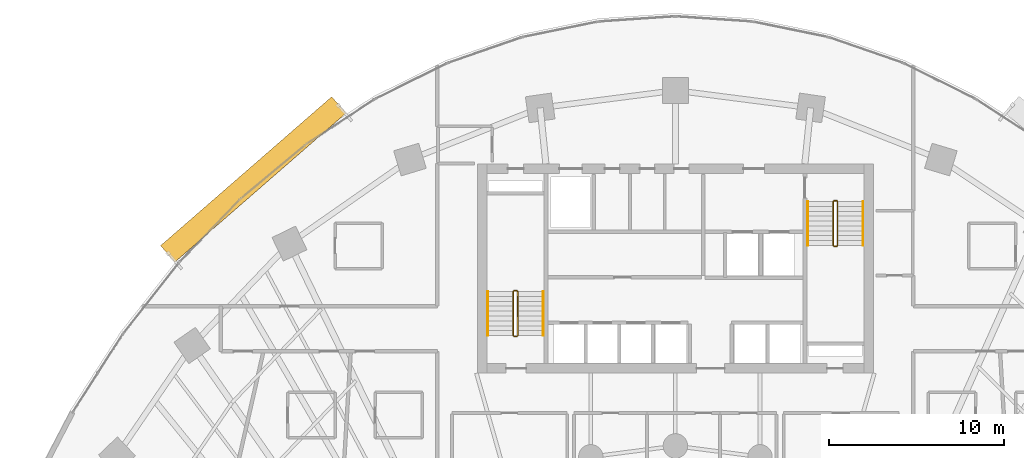
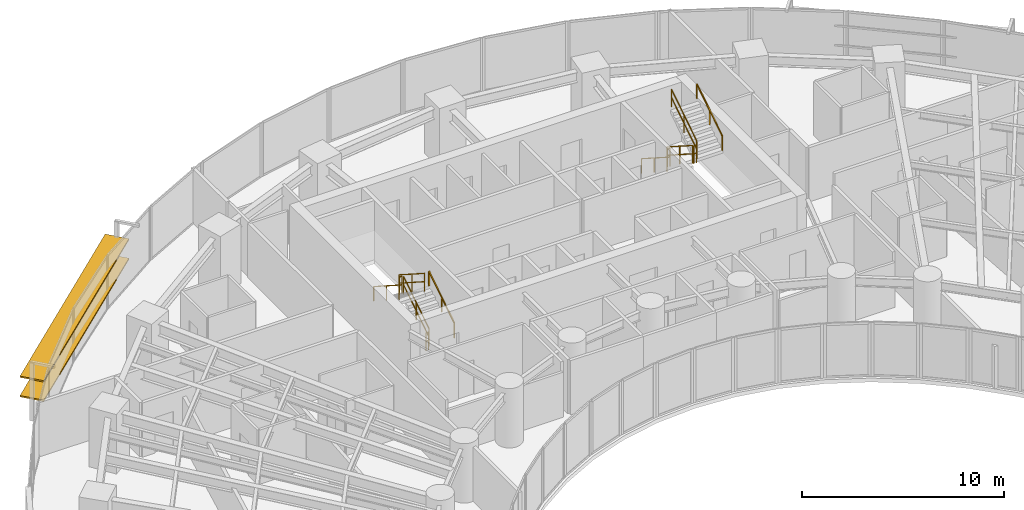
# One storey, part 16 of 17: 12 railings, 2 shading devices.
"""IFC4 building model written with IfcOpenShell, lengths in metres."""

import ifcopenshell
import ifcopenshell.guid

model = None  # the IFC model being written
_history = None  # IfcOwnerHistory: only IFC2X3 demands one
_inside = {}  # id of a spatial element -> (the spatial element, [elements in it])
_under = {}  # id of a project, library or spatial element -> (it, [spatial elements below it])
_declared = {}  # id of a project -> (the project, [libraries it declares])
_typed = {}  # id of a type object -> (the type object, [elements of that type])
_made_of = {}  # id of a material, layer set ... -> (it, [elements and type objects made of it])


def new_model(schema):
    """Start an empty IFC model of exactly this schema.

    Asked for "IFC4X3", IfcOpenShell would pick the latest addendum, in which some entities
    have other attributes; the version numbers below select the first issue.
    IFC2X3 requires an IfcOwnerHistory on every rooted entity: one is made here for all.
    """
    global model, _history
    if schema == "IFC4X3":
        model = ifcopenshell.file(schema_version=(4, 3, 0, 0))
    else:
        model = ifcopenshell.file(schema=schema)
    _inside.clear()
    _under.clear()
    _declared.clear()
    _typed.clear()
    _made_of.clear()
    _history = None
    if model.schema == "IFC2X3":
        org = make("IfcOrganization", Name="unknown")
        user = make(
            "IfcPersonAndOrganization",
            ThePerson=make("IfcPerson", FamilyName="unknown"),
            TheOrganization=org,
        )
        app = make(
            "IfcApplication",
            ApplicationDeveloper=org,
            Version="unknown",
            ApplicationFullName="unknown",
            ApplicationIdentifier="unknown",
        )
        _history = make(
            "IfcOwnerHistory",
            OwningUser=user,
            OwningApplication=app,
            ChangeAction="ADDED",
            CreationDate=0,
        )
    return model


def make(cls, **values):
    """One entity of the class cls with the attributes given. An attribute that is None is left unset."""
    return model.create_entity(
        cls, **{name: value for name, value in values.items() if value is not None}
    )


def rooted(cls, **values):
    """An entity with a GlobalId (a new one), such as an element, a storey or a relation."""
    return make(cls, GlobalId=ifcopenshell.guid.new(), OwnerHistory=_history, **values)


def si_unit(unit_type, name, prefix=None):
    """IfcSIUnit, for example si_unit("LENGTHUNIT", "METRE", prefix="MILLI")."""
    return make("IfcSIUnit", UnitType=unit_type, Prefix=prefix, Name=name)


def assignment(units):
    """IfcUnitAssignment: the units of a project."""
    return None if units is None else make("IfcUnitAssignment", Units=units)


def point(xyz):
    """IfcCartesianPoint."""
    return None if xyz is None else make("IfcCartesianPoint", Coordinates=xyz)


def direction(xyz):
    """IfcDirection."""
    return None if xyz is None else make("IfcDirection", DirectionRatios=xyz)


def frame(location, z_axis=None, x_axis=None):
    """IfcAxis2Placement3D, a coordinate frame: its origin and axes. An axis left out is left unset."""
    return make(
        "IfcAxis2Placement3D",
        Location=point(location),
        Axis=direction(z_axis),
        RefDirection=direction(x_axis),
    )


def frame_2d(location, x_axis=None):
    """IfcAxis2Placement2D, a coordinate frame in the plane: its origin and x axis."""
    return make(
        "IfcAxis2Placement2D", Location=point(location), RefDirection=direction(x_axis)
    )


def origin():
    """The frame at (0, 0, 0) with its axes left unset."""
    return frame((0.0, 0.0, 0.0))


def origin_2d():
    """The frame at (0, 0) in the plane with its x axis left unset."""
    return frame_2d((0.0, 0.0))


def place(relative_to, where):
    """IfcLocalPlacement: puts the frame where relative to a parent placement (None: the world)."""
    return make(
        "IfcLocalPlacement", PlacementRelTo=relative_to, RelativePlacement=where
    )


def context(
    kind, dimensions, precision=None, world=None, true_north=None, identifier=None
):
    """IfcGeometricRepresentationContext, for example the 3D "Model" context."""
    return make(
        "IfcGeometricRepresentationContext",
        ContextIdentifier=identifier,
        ContextType=kind,
        CoordinateSpaceDimension=dimensions,
        Precision=precision,
        WorldCoordinateSystem=world,
        TrueNorth=true_north,
    )


def subcontext(parent, identifier, kind, view, scale=None):
    """IfcGeometricRepresentationSubContext, for example "Body" below "Model"."""
    return make(
        "IfcGeometricRepresentationSubContext",
        ContextIdentifier=identifier,
        ContextType=kind,
        ParentContext=parent,
        TargetScale=scale,
        TargetView=view,
    )


def project(units=None, contexts=None):
    """IfcProject with its units and contexts."""
    return rooted(
        "IfcProject",
        Name="project",
        RepresentationContexts=contexts,
        UnitsInContext=assignment(units),
    )


def spatial(cls, under=None, at=None, **own):
    """A site, building, storey or space (cls), placed at a placement, below another one or the project."""
    s = rooted(cls, ObjectPlacement=at, **own)
    if under is not None:
        _under.setdefault(under.id(), (under, []))[1].append(s)
    return s


def profile(cls, at=None, kind="AREA", **sizes):
    """A parametric profile (cls). Its sizes go by their IFC names, for example OverallWidth=200.0."""
    return make(cls, ProfileType=kind, Position=at, **sizes)


def rectangle(**sizes):
    """IfcRectangleProfileDef."""
    return profile("IfcRectangleProfileDef", **sizes)


def extrude(swept, where, along, depth):
    """IfcExtrudedAreaSolid: the profile swept, set in the frame where, extruded along a direction by depth."""
    return make(
        "IfcExtrudedAreaSolid",
        SweptArea=swept,
        Position=where,
        ExtrudedDirection=direction(along),
        Depth=depth,
    )


def shape(context_of_items, identifier, shape_type, items):
    """IfcShapeRepresentation: the items that make up one representation, for example the "Body"."""
    return make(
        "IfcShapeRepresentation",
        ContextOfItems=context_of_items,
        RepresentationIdentifier=identifier,
        RepresentationType=shape_type,
        Items=items,
    )


def source(mapping_origin, context_of_items, identifier, shape_type, items):
    """IfcRepresentationMap: a shape defined once, which mapped items show again and again."""
    return make(
        "IfcRepresentationMap",
        MappingOrigin=mapping_origin,
        MappedRepresentation=shape(context_of_items, identifier, shape_type, items),
    )


def transform(
    local_origin,
    x_axis=None,
    y_axis=None,
    z_axis=None,
    scale=None,
    scale2=None,
    scale3=None,
    uniform=True,
):
    """IfcCartesianTransformationOperator3D, or its non-uniform kind. x_axis, y_axis, z_axis: its Axis1, 2, 3."""
    if uniform:
        return make(
            "IfcCartesianTransformationOperator3D",
            Axis1=direction(x_axis),
            Axis2=direction(y_axis),
            LocalOrigin=point(local_origin),
            Scale=scale,
            Axis3=direction(z_axis),
        )
    return make(
        "IfcCartesianTransformationOperator3DnonUniform",
        Axis1=direction(x_axis),
        Axis2=direction(y_axis),
        LocalOrigin=point(local_origin),
        Scale=scale,
        Axis3=direction(z_axis),
        Scale2=scale2,
        Scale3=scale3,
    )


def mapped(mapping_source, mapping_target):
    """IfcMappedItem: shows the shape of a source again, moved by a transform."""
    return make(
        "IfcMappedItem", MappingSource=mapping_source, MappingTarget=mapping_target
    )


def material(Name=None, Category=None):
    """IfcMaterial."""
    return make("IfcMaterial", Name=Name, Category=Category)


def material_profile(
    of_material, cross_section, Name=None, Category=None, Priority=None
):
    """IfcMaterialProfile: a cross section and its material."""
    return make(
        "IfcMaterialProfile",
        Name=Name,
        Material=of_material,
        Profile=cross_section,
        Priority=Priority,
        Category=Category,
    )


def profile_set(profiles, Name=None, composite=None):
    """IfcMaterialProfileSet."""
    return make(
        "IfcMaterialProfileSet",
        Name=Name,
        MaterialProfiles=profiles,
        CompositeProfile=composite,
    )


def made_of(thing, what):
    """Note that an element or type object is made of a material, layer set ...; save() writes the relation."""
    if what is not None:
        _made_of.setdefault(what.id(), (what, []))[1].append(thing)
    return thing


def type_object(cls, material=None, **own):
    """A type object (cls), such as IfcWallType, which elements share."""
    return made_of(rooted(cls, **own), material)


def type_shapes(of_type, sources):
    """Give a type object the sources (RepresentationMaps) that its elements show as mapped items."""
    of_type.RepresentationMaps = sources


def element(
    cls,
    number,
    at=None,
    inside=None,
    cuts=None,
    type_object=None,
    material=None,
    context=None,
    identifier="Body",
    shape_type=None,
    held_by="IfcProductDefinitionShape",
    body=None,
    shapes=None,
    **own,
):
    """One element of the class cls, such as IfcWall. Its Tag is "e" and its number.

    at: its placement. inside: the storey or other place that contains it. cuts: it is an
    opening in that element (IfcRelVoidsElement). A single representation is given by context,
    identifier, shape_type and body (its items); several are given by shapes. held_by: the class
    of the entity that holds the representations. save() writes the other relations.
    """
    e = rooted(cls, Tag="e%d" % number, ObjectPlacement=at, **own)
    if body is not None:
        shapes = [shape(context, identifier, shape_type, body)]
    if shapes is not None:
        e.Representation = make(held_by, Representations=shapes)
    if inside is not None:
        _inside.setdefault(inside.id(), (inside, []))[1].append(e)
    if cuts is not None:
        rooted(
            "IfcRelVoidsElement", RelatingBuildingElement=cuts, RelatedOpeningElement=e
        )
    if type_object is not None:
        _typed.setdefault(type_object.id(), (type_object, []))[1].append(e)
    return made_of(e, material)


def aggregate(whole, parts):
    """IfcRelAggregates: a whole, such as a stair, and the parts it consists of."""
    return rooted("IfcRelAggregates", RelatingObject=whole, RelatedObjects=parts)


def save(model, path):
    """Write the relations noted so far, then the file.

    IfcRelAggregates (storeys below a building ...), IfcRelContainedInSpatialStructure (elements
    in a storey), IfcRelDefinesByType, IfcRelAssociatesMaterial and IfcRelDeclares: one each for
    every whole, place, type object, material and project.
    """
    for whole, parts in _under.values():
        aggregate(whole, parts)
    for where, things in _inside.values():
        rooted(
            "IfcRelContainedInSpatialStructure",
            RelatedElements=things,
            RelatingStructure=where,
        )
    for kind, things in _typed.values():
        rooted("IfcRelDefinesByType", RelatedObjects=things, RelatingType=kind)
    for what, things in _made_of.values():
        rooted("IfcRelAssociatesMaterial", RelatedObjects=things, RelatingMaterial=what)
    for by, libraries in _declared.values():
        rooted("IfcRelDeclares", RelatingContext=by, RelatedDefinitions=libraries)
    model.write(path)


model = new_model("IFC4")

# Units and contexts
model_context = context("Model", 3, precision=1e-05, world=origin(), true_north=direction((0.0, 1.0)))
body_context = subcontext(model_context, "Body", "Model", "MODEL_VIEW")
ifc_project = project(units=[si_unit("LENGTHUNIT", "METRE"), si_unit("AREAUNIT", "SQUARE_METRE"), si_unit("VOLUMEUNIT", "CUBIC_METRE"), si_unit("PLANEANGLEUNIT", "RADIAN"), si_unit("MASSUNIT", "GRAM", prefix="KILO")], contexts=[model_context])

# Site, building, storey
site_placement = place(None, origin())
site = spatial("IfcSite", under=ifc_project, at=site_placement, CompositionType="ELEMENT")
building_placement = place(site_placement, origin())
building = spatial("IfcBuilding", under=site, at=building_placement, Name="Breltana Convention Tower", CompositionType="ELEMENT")
storey_placement = place(building_placement, frame((0.0, 0.0, 82.199951171875)))
storey = spatial("IfcBuildingStorey", under=building, at=storey_placement, Name="L19", CompositionType="ELEMENT", Elevation=82.199951171875)

# Railings
ifc_material_1 = material(Name="Steel S275 Painted", Category="steel")
railing_type_1 = type_object("IfcRailingType", Name="RL-STAIR-GUARD-1100", PredefinedType="GUARDRAIL", material=ifc_material_1)
railing_1_placement = place(storey_placement, frame((38.9599609375, 62.360107421875, 0.179931640625)))
element("IfcRailing", 1, at=railing_1_placement, inside=storey, type_object=railing_type_1, Name="L19 ST-1 stair guard 1", PredefinedType="GUARDRAIL", context=body_context, shape_type="SweptSolid", body=[
    extrude(rectangle(XDim=0.048095703125, YDim=0.048095703125, at=origin_2d()), frame((0.0, 0.0, 1.076171875), z_axis=(0.0, 0.841138753965, 0.540819375188), x_axis=(-1.0, 0.0, 0.0)), (0.0, 0.0, 1.0), 2.99560546875),
    extrude(rectangle(XDim=0.048095703125, YDim=0.048095703125, at=origin_2d()), frame((0.0, 0.0, 0.572021484375), z_axis=(0.0, 0.841138753965, 0.540819375188), x_axis=(-1.0, 0.0, 0.0)), (0.0, 0.0, 1.0), 2.99560546875),
    extrude(rectangle(XDim=0.0419921875, YDim=0.0419921875, at=origin_2d()), origin(), (0.0, 0.0, 1.0), 1.052001953125),
    extrude(rectangle(XDim=0.0419921875, YDim=0.0419921875, at=origin_2d()), frame((0.0, 1.259765625, 0.81005859375)), (0.0, 0.0, 1.0), 1.052001953125),
    extrude(rectangle(XDim=0.0419921875, YDim=0.0419921875, at=origin_2d()), frame((0.0, 2.519775390625, 1.6201171875)), (0.0, 0.0, 1.0), 1.052001953125),
])
railing_2_placement = place(storey_placement, frame((38.909912109375, 64.929931640625, 1.800048828125)))
element("IfcRailing", 2, at=railing_2_placement, inside=storey, type_object=railing_type_1, Name="L19 ST-1 stair guard 2", PredefinedType="GUARDRAIL", context=body_context, shape_type="SweptSolid", body=[
    extrude(rectangle(XDim=0.048095703125, YDim=0.048095703125, at=origin_2d()), frame((0.0, 0.0, 1.076171875), z_axis=(-1.0, 0.0, 0.0), x_axis=(0.0, -1.0, 0.0)), (0.0, 0.0, 1.0), 0.14990234375),
    extrude(rectangle(XDim=0.048095703125, YDim=0.048095703125, at=origin_2d()), frame((0.0, 0.0, 0.572021484375), z_axis=(-1.0, 0.0, 0.0), x_axis=(0.0, -1.0, 0.0)), (0.0, 0.0, 1.0), 0.14990234375),
    extrude(rectangle(XDim=0.0419921875, YDim=0.0419921875, at=origin_2d()), origin(), (0.0, 0.0, 1.0), 1.052001953125),
    extrude(rectangle(XDim=0.0419921875, YDim=0.0419921875, at=origin_2d()), frame((-0.14990234375, 0.0, 0.0)), (0.0, 0.0, 1.0), 1.052001953125),
])
railing_3_placement = place(storey_placement, frame((38.7099609375, 64.8798828125, 1.97998046875)))
element("IfcRailing", 3, at=railing_3_placement, inside=storey, type_object=railing_type_1, Name="L19 ST-1 stair guard 3", PredefinedType="GUARDRAIL", context=body_context, shape_type="SweptSolid", body=[
    extrude(rectangle(XDim=0.048095703125, YDim=0.048095703125, at=origin_2d()), frame((0.0, 0.0, 1.076171875), z_axis=(0.0, -0.841138753965, 0.540819375188), x_axis=(1.0, 0.0, 0.0)), (0.0, 0.0, 1.0), 2.99560546875),
    extrude(rectangle(XDim=0.048095703125, YDim=0.048095703125, at=origin_2d()), frame((0.0, 0.0, 0.572021484375), z_axis=(0.0, -0.841138753965, 0.540819375188), x_axis=(1.0, 0.0, 0.0)), (0.0, 0.0, 1.0), 2.99560546875),
    extrude(rectangle(XDim=0.0419921875, YDim=0.0419921875, at=origin_2d()), origin(), (0.0, 0.0, 1.0), 1.052001953125),
    extrude(rectangle(XDim=0.0419921875, YDim=0.0419921875, at=origin_2d()), frame((0.0, -1.259765625, 0.81005859375)), (0.0, 0.0, 1.0), 1.052001953125),
    extrude(rectangle(XDim=0.0419921875, YDim=0.0419921875, at=origin_2d()), frame((0.0, -2.519775390625, 1.6201171875)), (0.0, 0.0, 1.0), 1.052001953125),
])
railing_4_placement = place(storey_placement, frame((38.909912109375, 62.31005859375, 0.0)))
element("IfcRailing", 4, at=railing_4_placement, inside=storey, type_object=railing_type_1, Name="L19 ST-1 stair guard 4", PredefinedType="GUARDRAIL", context=body_context, shape_type="SweptSolid", body=[
    extrude(rectangle(XDim=0.048095703125, YDim=0.048095703125, at=origin_2d()), frame((0.0, 0.0, 1.076171875), z_axis=(-1.0, 0.0, 0.0), x_axis=(0.0, -1.0, 0.0)), (0.0, 0.0, 1.0), 0.14990234375),
    extrude(rectangle(XDim=0.048095703125, YDim=0.048095703125, at=origin_2d()), frame((0.0, 0.0, 0.572021484375), z_axis=(-1.0, 0.0, 0.0), x_axis=(0.0, -1.0, 0.0)), (0.0, 0.0, 1.0), 0.14990234375),
    extrude(rectangle(XDim=0.0419921875, YDim=0.0419921875, at=origin_2d()), origin(), (0.0, 0.0, 1.0), 1.052001953125),
    extrude(rectangle(XDim=0.0419921875, YDim=0.0419921875, at=origin_2d()), frame((-0.14990234375, 0.0, 0.0)), (0.0, 0.0, 1.0), 1.052001953125),
])
railing_5_placement = place(storey_placement, frame((57.0400390625, 70.0400390625, 0.179931640625)))
element("IfcRailing", 5, at=railing_5_placement, inside=storey, type_object=railing_type_1, Name="L19 ST-2 stair guard 1", PredefinedType="GUARDRAIL", context=body_context, shape_type="SweptSolid", body=[
    extrude(rectangle(XDim=0.048095703125, YDim=0.048095703125, at=origin_2d()), frame((0.0, 0.0, 1.076171875), z_axis=(0.0, -0.841162588446, 0.540782303519), x_axis=(1.0, 0.0, 0.0)), (0.0, 0.0, 1.0), 2.995849609375),
    extrude(rectangle(XDim=0.048095703125, YDim=0.048095703125, at=origin_2d()), frame((0.0, 0.0, 0.572021484375), z_axis=(0.0, -0.841162588446, 0.540782303519), x_axis=(1.0, 0.0, 0.0)), (0.0, 0.0, 1.0), 2.995849609375),
    extrude(rectangle(XDim=0.0419921875, YDim=0.0419921875, at=origin_2d()), origin(), (0.0, 0.0, 1.0), 1.052001953125),
    extrude(rectangle(XDim=0.0419921875, YDim=0.0419921875, at=origin_2d()), frame((0.0, -1.260009765625, 0.81005859375)), (0.0, 0.0, 1.0), 1.052001953125),
    extrude(rectangle(XDim=0.0419921875, YDim=0.0419921875, at=origin_2d()), frame((0.0, -2.52001953125, 1.6201171875)), (0.0, 0.0, 1.0), 1.052001953125),
])
railing_6_placement = place(storey_placement, frame((57.090087890625, 67.469970703125, 1.800048828125)))
element("IfcRailing", 6, at=railing_6_placement, inside=storey, type_object=railing_type_1, Name="L19 ST-2 stair guard 2", PredefinedType="GUARDRAIL", context=body_context, shape_type="SweptSolid", body=[
    extrude(rectangle(XDim=0.048095703125, YDim=0.048095703125, at=origin_2d()), frame((0.0, 0.0, 1.076171875), z_axis=(1.0, 0.0, 0.0), x_axis=(0.0, 1.0, 0.0)), (0.0, 0.0, 1.0), 0.14990234375),
    extrude(rectangle(XDim=0.048095703125, YDim=0.048095703125, at=origin_2d()), frame((0.0, 0.0, 0.572021484375), z_axis=(1.0, 0.0, 0.0), x_axis=(0.0, 1.0, 0.0)), (0.0, 0.0, 1.0), 0.14990234375),
    extrude(rectangle(XDim=0.0419921875, YDim=0.0419921875, at=origin_2d()), origin(), (0.0, 0.0, 1.0), 1.052001953125),
    extrude(rectangle(XDim=0.0419921875, YDim=0.0419921875, at=origin_2d()), frame((0.14990234375, 0.0, 0.0)), (0.0, 0.0, 1.0), 1.052001953125),
])
railing_7_placement = place(storey_placement, frame((57.2900390625, 67.52001953125, 1.97998046875)))
element("IfcRailing", 7, at=railing_7_placement, inside=storey, type_object=railing_type_1, Name="L19 ST-2 stair guard 3", PredefinedType="GUARDRAIL", context=body_context, shape_type="SweptSolid", body=[
    extrude(rectangle(XDim=0.048095703125, YDim=0.048095703125, at=origin_2d()), frame((0.0, 0.0, 1.076171875), z_axis=(0.0, 0.841162588446, 0.540782303519), x_axis=(-1.0, 0.0, 0.0)), (0.0, 0.0, 1.0), 2.995849609375),
    extrude(rectangle(XDim=0.048095703125, YDim=0.048095703125, at=origin_2d()), frame((0.0, 0.0, 0.572021484375), z_axis=(0.0, 0.841162588446, 0.540782303519), x_axis=(-1.0, 0.0, 0.0)), (0.0, 0.0, 1.0), 2.995849609375),
    extrude(rectangle(XDim=0.0419921875, YDim=0.0419921875, at=origin_2d()), origin(), (0.0, 0.0, 1.0), 1.052001953125),
    extrude(rectangle(XDim=0.0419921875, YDim=0.0419921875, at=origin_2d()), frame((0.0, 1.260009765625, 0.81005859375)), (0.0, 0.0, 1.0), 1.052001953125),
    extrude(rectangle(XDim=0.0419921875, YDim=0.0419921875, at=origin_2d()), frame((0.0, 2.52001953125, 1.6201171875)), (0.0, 0.0, 1.0), 1.052001953125),
])
railing_8_placement = place(storey_placement, frame((57.090087890625, 70.090087890625, 0.0)))
element("IfcRailing", 8, at=railing_8_placement, inside=storey, type_object=railing_type_1, Name="L19 ST-2 stair guard 4", PredefinedType="GUARDRAIL", context=body_context, shape_type="SweptSolid", body=[
    extrude(rectangle(XDim=0.048095703125, YDim=0.048095703125, at=origin_2d()), frame((0.0, 0.0, 1.076171875), z_axis=(1.0, 0.0, 0.0), x_axis=(0.0, 1.0, 0.0)), (0.0, 0.0, 1.0), 0.14990234375),
    extrude(rectangle(XDim=0.048095703125, YDim=0.048095703125, at=origin_2d()), frame((0.0, 0.0, 0.572021484375), z_axis=(1.0, 0.0, 0.0), x_axis=(0.0, 1.0, 0.0)), (0.0, 0.0, 1.0), 0.14990234375),
    extrude(rectangle(XDim=0.0419921875, YDim=0.0419921875, at=origin_2d()), origin(), (0.0, 0.0, 1.0), 1.052001953125),
    extrude(rectangle(XDim=0.0419921875, YDim=0.0419921875, at=origin_2d()), frame((0.14990234375, 0.0, 0.0)), (0.0, 0.0, 1.0), 1.052001953125),
])
ifc_material_2 = material(Name="Stainless Steel 316L", Category="steel")
railing_type_2 = type_object("IfcRailingType", Name="RL-STAIR-HANDRAIL-900", PredefinedType="HANDRAIL", material=ifc_material_2)
railing_9_placement = place(storey_placement, frame((40.419921875, 62.360107421875, 0.179931640625)))
element("IfcRailing", 9, at=railing_9_placement, inside=storey, type_object=railing_type_2, Name="L19 ST-1 stair handrail 1", PredefinedType="HANDRAIL", context=body_context, shape_type="SweptSolid", body=[
    extrude(rectangle(XDim=0.048095703125, YDim=0.048095703125, at=origin_2d()), frame((0.0, 0.0, 0.8759765625), z_axis=(0.0, 0.841138753965, 0.540819375188), x_axis=(-1.0, 0.0, 0.0)), (0.0, 0.0, 1.0), 2.99560546875),
    extrude(rectangle(XDim=0.0419921875, YDim=0.0419921875, at=origin_2d()), origin(), (0.0, 0.0, 1.0), 0.851806640625),
    extrude(rectangle(XDim=0.0419921875, YDim=0.0419921875, at=origin_2d()), frame((0.0, 1.259765625, 0.81005859375)), (0.0, 0.0, 1.0), 0.851806640625),
    extrude(rectangle(XDim=0.0419921875, YDim=0.0419921875, at=origin_2d()), frame((0.0, 2.519775390625, 1.6201171875)), (0.0, 0.0, 1.0), 0.851806640625),
])
railing_10_placement = place(storey_placement, frame((37.25, 64.8798828125, 1.97998046875)))
element("IfcRailing", 10, at=railing_10_placement, inside=storey, type_object=railing_type_2, Name="L19 ST-1 stair handrail 2", PredefinedType="HANDRAIL", context=body_context, shape_type="SweptSolid", body=[
    extrude(rectangle(XDim=0.048095703125, YDim=0.048095703125, at=origin_2d()), frame((0.0, 0.0, 0.8759765625), z_axis=(0.0, -0.841138753965, 0.540819375188), x_axis=(1.0, 0.0, 0.0)), (0.0, 0.0, 1.0), 2.99560546875),
    extrude(rectangle(XDim=0.0419921875, YDim=0.0419921875, at=origin_2d()), origin(), (0.0, 0.0, 1.0), 0.851806640625),
    extrude(rectangle(XDim=0.0419921875, YDim=0.0419921875, at=origin_2d()), frame((0.0, -1.259765625, 0.81005859375)), (0.0, 0.0, 1.0), 0.851806640625),
    extrude(rectangle(XDim=0.0419921875, YDim=0.0419921875, at=origin_2d()), frame((0.0, -2.519775390625, 1.6201171875)), (0.0, 0.0, 1.0), 0.851806640625),
])
railing_11_placement = place(storey_placement, frame((55.580078125, 70.0400390625, 0.179931640625)))
element("IfcRailing", 11, at=railing_11_placement, inside=storey, type_object=railing_type_2, Name="L19 ST-2 stair handrail 1", PredefinedType="HANDRAIL", context=body_context, shape_type="SweptSolid", body=[
    extrude(rectangle(XDim=0.048095703125, YDim=0.048095703125, at=origin_2d()), frame((0.0, 0.0, 0.8759765625), z_axis=(0.0, -0.841162588446, 0.540782303519), x_axis=(1.0, 0.0, 0.0)), (0.0, 0.0, 1.0), 2.995849609375),
    extrude(rectangle(XDim=0.0419921875, YDim=0.0419921875, at=origin_2d()), origin(), (0.0, 0.0, 1.0), 0.851806640625),
    extrude(rectangle(XDim=0.0419921875, YDim=0.0419921875, at=origin_2d()), frame((0.0, -1.260009765625, 0.81005859375)), (0.0, 0.0, 1.0), 0.851806640625),
    extrude(rectangle(XDim=0.0419921875, YDim=0.0419921875, at=origin_2d()), frame((0.0, -2.52001953125, 1.6201171875)), (0.0, 0.0, 1.0), 0.851806640625),
])
railing_12_placement = place(storey_placement, frame((58.75, 67.52001953125, 1.97998046875)))
element("IfcRailing", 12, at=railing_12_placement, inside=storey, type_object=railing_type_2, Name="L19 ST-2 stair handrail 2", PredefinedType="HANDRAIL", context=body_context, shape_type="SweptSolid", body=[
    extrude(rectangle(XDim=0.048095703125, YDim=0.048095703125, at=origin_2d()), frame((0.0, 0.0, 0.8759765625), z_axis=(0.0, 0.841162588446, 0.540782303519), x_axis=(-1.0, 0.0, 0.0)), (0.0, 0.0, 1.0), 2.995849609375),
    extrude(rectangle(XDim=0.0419921875, YDim=0.0419921875, at=origin_2d()), origin(), (0.0, 0.0, 1.0), 0.851806640625),
    extrude(rectangle(XDim=0.0419921875, YDim=0.0419921875, at=origin_2d()), frame((0.0, 1.260009765625, 0.81005859375)), (0.0, 0.0, 1.0), 0.851806640625),
    extrude(rectangle(XDim=0.0419921875, YDim=0.0419921875, at=origin_2d()), frame((0.0, 2.52001953125, 1.6201171875)), (0.0, 0.0, 1.0), 0.851806640625),
])

# Shading devices
ifc_material_3 = material(Name="Limestone Warm Buff Honed", Category="masonry")
ifc_material_profile = material_profile(ifc_material_3, rectangle(XDim=1.25, YDim=0.090087890625, at=origin_2d()), Name="STN-LVR-1250X90")
ifc_profile_set = profile_set([ifc_material_profile], Name="Limestone Warm Buff Honed")
shading_device_type = type_object("IfcShadingDeviceType", Name="SHD-OUTER-SKIN-LIMESTONE-1250", PredefinedType="JALOUSIE", material=ifc_profile_set)
shared_shape = source(origin(), body_context, "Body", "SweptSolid", [
    extrude(rectangle(XDim=1.25, YDim=0.090087890625, at=origin_2d()), origin(), (0.0, 0.0, 1.0), 12.99462890625),
])
type_shapes(shading_device_type, [shared_shape])
for number, where, z_axis, x_axis, name in (
    (13, (18.9130859375, 67.039794921875, 1.180908203125), (0.754353477941, 0.656468453407, 0.0), (-0.656468453407, 0.754353477941, 0.0), "L19 outer skin warm limestone louvre 1.1"),
    (14, (18.9130859375, 67.039794921875, 2.361572265625), (0.754353477941, 0.656468453407, 0.0), (-0.656468453407, 0.754353477941, 0.0), "L19 outer skin warm limestone louvre 1.2"),
):
    element("IfcShadingDevice", number, at=place(storey_placement, frame(where, z_axis=z_axis, x_axis=x_axis)), inside=storey, type_object=shading_device_type, Name=name, PredefinedType="JALOUSIE", context=body_context, shape_type="MappedRepresentation", body=[
        mapped(shared_shape, transform((0.0, 0.0, 0.0), scale=1.0)),
    ])

save(model, "model.ifc")
